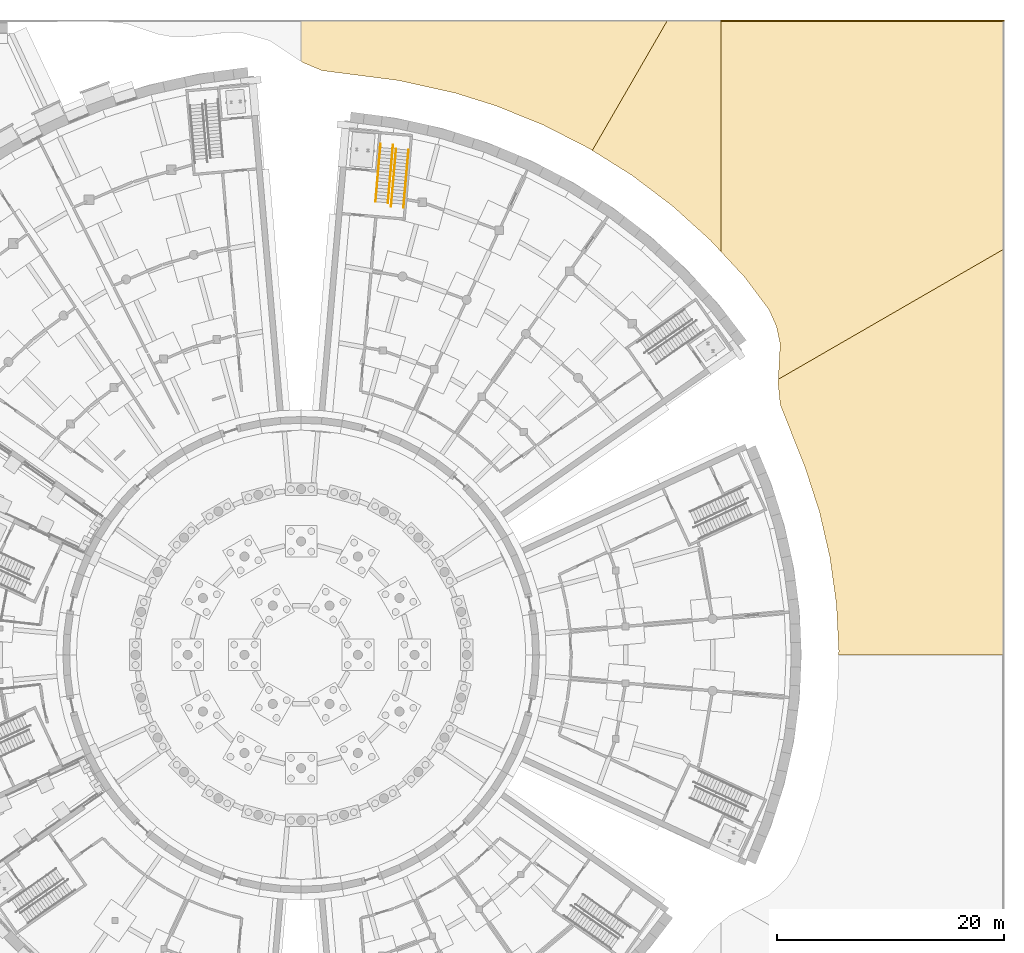
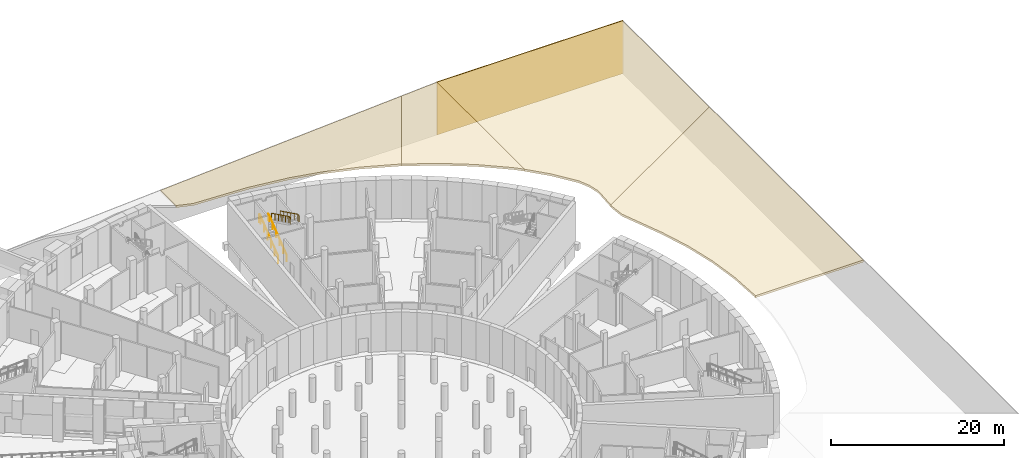
# One storey, part 64 of 65: 5 coverings, 4 railings.
"""IFC4 building model written with IfcOpenShell, lengths in metres."""

from ifc_helpers import new_model, si_unit, direction, frame, origin, origin_2d, place, context, subcontext, project, spatial, polyline, circle, outline, extrude, material, layer, layer_set, type_object, element, save


model = new_model("IFC4")

# Units and contexts
model_context = context("Model", 3, precision=1e-05, world=origin(), true_north=direction((0.0, 1.0)))
body_context = subcontext(model_context, "Body", "Model", "MODEL_VIEW")
ifc_project = project(units=[si_unit("LENGTHUNIT", "METRE"), si_unit("AREAUNIT", "SQUARE_METRE"), si_unit("VOLUMEUNIT", "CUBIC_METRE"), si_unit("PLANEANGLEUNIT", "RADIAN"), si_unit("MASSUNIT", "GRAM", prefix="KILO")], contexts=[model_context])

# Site, building, storey
site_placement = place(None, origin())
site = spatial("IfcSite", under=ifc_project, at=site_placement, CompositionType="ELEMENT")
building_placement = place(site_placement, origin())
building = spatial("IfcBuilding", under=site, at=building_placement, Name="Volute Hill Aquarium", CompositionType="ELEMENT")
storey_placement = place(building_placement, frame((0.0, 0.0, -5.5)))
storey = spatial("IfcBuildingStorey", under=building, at=storey_placement, Name="L00", CompositionType="ELEMENT", Elevation=-5.5)

# Railings
ifc_material_1 = material(Name="Stainless steel 1.4301", Category="steel")
railing_type_1 = type_object("IfcRailingType", Name="Guard 1100 stainless", PredefinedType="GUARDRAIL", material=ifc_material_1)
railing_1_placement = place(storey_placement, frame((6.55517578125, 39.9306640625, 0.161865234375)))
element("IfcRailing", 1, at=railing_1_placement, inside=storey, type_object=railing_type_1, Name="gd/S5-B/L00/1", PredefinedType="GUARDRAIL", context=body_context, shape_type="SweptSolid", body=[
    extrude(circle(Radius=0.02392578125, at=origin_2d()), frame((0.0, 0.0, 1.076171875), z_axis=(0.07669002411, 0.876853947593, 0.474600668765), x_axis=(-0.996197139649, 0.087127831115, 0.0)), (0.0, 0.0, 1.0), 5.453369140625),
    extrude(circle(Radius=0.02392578125, at=origin_2d()), frame((0.418212890625, 4.78173828125, 3.6640625), z_axis=(0.087086179441, 0.996200781645, 0.0), x_axis=(-0.996200781645, 0.087086179441, 0.0)), (0.0, 0.0, 1.0), 0.300048828125),
    extrude(circle(Radius=0.02099609375, at=origin_2d()), origin(), (0.0, 0.0, 1.0), 1.052001953125),
    extrude(circle(Radius=0.02099609375, at=origin_2d()), frame((0.083740234375, 0.956298828125, 0.517578125)), (0.0, 0.0, 1.0), 1.052001953125),
    extrude(circle(Radius=0.02099609375, at=origin_2d()), frame((0.167236328125, 1.91259765625, 1.03515625)), (0.0, 0.0, 1.0), 1.052001953125),
    extrude(circle(Radius=0.02099609375, at=origin_2d()), frame((0.2509765625, 2.869140625, 1.552978515625)), (0.0, 0.0, 1.0), 1.052001953125),
    extrude(circle(Radius=0.02099609375, at=origin_2d()), frame((0.33447265625, 3.825439453125, 2.070556640625)), (0.0, 0.0, 1.0), 1.052001953125),
    extrude(circle(Radius=0.02099609375, at=origin_2d()), frame((0.418212890625, 4.78173828125, 2.588134765625)), (0.0, 0.0, 1.0), 1.052001953125),
    extrude(circle(Radius=0.02099609375, at=origin_2d()), frame((0.4443359375, 5.08056640625, 2.588134765625)), (0.0, 0.0, 1.0), 1.052001953125),
])
ifc_material_2 = material(Name="Stainless steel 1.4301", Category="steel")
railing_type_2 = type_object("IfcRailingType", Name="Handrail 48 stainless", PredefinedType="HANDRAIL", material=ifc_material_2)
railing_2_placement = place(storey_placement, frame((7.65087890625, 39.834716796875, 0.161865234375)))
element("IfcRailing", 2, at=railing_2_placement, inside=storey, type_object=railing_type_2, Name="hr/S5-B/L00/2", PredefinedType="HANDRAIL", context=body_context, shape_type="SweptSolid", body=[
    extrude(circle(Radius=0.02392578125, at=origin_2d()), frame((0.0, 0.0, 0.8759765625), z_axis=(0.076734530001, 0.876850936167, 0.474599038819), x_axis=(-0.996192723684, 0.087178307383, 0.0)), (0.0, 0.0, 1.0), 5.453369140625),
    extrude(circle(Radius=0.02392578125, at=origin_2d()), frame((0.41845703125, 4.78173828125, 3.4638671875), z_axis=(0.087086179441, 0.996200781645, 0.0), x_axis=(-0.996200781645, 0.087086179441, 0.0)), (0.0, 0.0, 1.0), 0.300048828125),
    extrude(circle(Radius=0.02099609375, at=origin_2d()), origin(), (0.0, 0.0, 1.0), 0.851806640625),
    extrude(circle(Radius=0.02099609375, at=origin_2d()), frame((0.083740234375, 0.956298828125, 0.517578125)), (0.0, 0.0, 1.0), 0.851806640625),
    extrude(circle(Radius=0.02099609375, at=origin_2d()), frame((0.16748046875, 1.91259765625, 1.03515625)), (0.0, 0.0, 1.0), 0.851806640625),
    extrude(circle(Radius=0.02099609375, at=origin_2d()), frame((0.2509765625, 2.869140625, 1.552978515625)), (0.0, 0.0, 1.0), 0.851806640625),
    extrude(circle(Radius=0.02099609375, at=origin_2d()), frame((0.334716796875, 3.825439453125, 2.070556640625)), (0.0, 0.0, 1.0), 0.851806640625),
    extrude(circle(Radius=0.02099609375, at=origin_2d()), frame((0.41845703125, 4.78173828125, 2.588134765625)), (0.0, 0.0, 1.0), 0.851806640625),
    extrude(circle(Radius=0.02099609375, at=origin_2d()), frame((0.444580078125, 5.08056640625, 2.588134765625)), (0.0, 0.0, 1.0), 0.851806640625),
])
for number, where, name in (
    (3, (8.3681640625, 44.59033203125, 2.911865234375), "hr/S5-B/L00/3"),
    (4, (9.464111328125, 44.494384765625, 2.911865234375), "hr/S5-B/L00/4"),
):
    element("IfcRailing", number, at=place(storey_placement, frame(where)), inside=storey, type_object=railing_type_2, Name=name, PredefinedType="HANDRAIL", context=body_context, shape_type="SweptSolid", body=[
        extrude(circle(Radius=0.02392578125, at=origin_2d()), frame((0.0, 0.0, 0.8759765625), z_axis=(-0.076734530001, -0.876850936167, 0.474599038819), x_axis=(0.996192723684, -0.087178307383, 0.0)), (0.0, 0.0, 1.0), 5.453369140625),
        extrude(circle(Radius=0.02392578125, at=origin_2d()), frame((-0.41845703125, -4.78173828125, 3.4638671875), z_axis=(-0.087086179441, -0.996200781645, 0.0), x_axis=(0.996200781645, -0.087086179441, 0.0)), (0.0, 0.0, 1.0), 0.300048828125),
        extrude(circle(Radius=0.02099609375, at=origin_2d()), origin(), (0.0, 0.0, 1.0), 0.851806640625),
        extrude(circle(Radius=0.02099609375, at=origin_2d()), frame((-0.083740234375, -0.956298828125, 0.517578125)), (0.0, 0.0, 1.0), 0.851806640625),
        extrude(circle(Radius=0.02099609375, at=origin_2d()), frame((-0.16748046875, -1.91259765625, 1.03515625)), (0.0, 0.0, 1.0), 0.851806640625),
        extrude(circle(Radius=0.02099609375, at=origin_2d()), frame((-0.2509765625, -2.869140625, 1.552978515625)), (0.0, 0.0, 1.0), 0.851806640625),
        extrude(circle(Radius=0.02099609375, at=origin_2d()), frame((-0.334716796875, -3.825439453125, 2.070556640625)), (0.0, 0.0, 1.0), 0.851806640625),
        extrude(circle(Radius=0.02099609375, at=origin_2d()), frame((-0.41845703125, -4.78173828125, 2.588134765625)), (0.0, 0.0, 1.0), 0.851806640625),
        extrude(circle(Radius=0.02099609375, at=origin_2d()), frame((-0.444580078125, -5.08056640625, 2.588134765625)), (0.0, 0.0, 1.0), 0.851806640625),
    ])

# Coverings
ifc_material_3 = material(Name="Planting soil and turf")
ifc_layer_1 = layer(ifc_material_3, 0.300048828125)
ifc_layer_set_1 = layer_set([ifc_layer_1], Name="Planted ground soil and turf build-up 300")
covering_type_1 = type_object("IfcCoveringType", Name="Planted ground soil and turf build-up 300", PredefinedType="CLADDING", material=ifc_layer_set_1)
covering_1_placement = place(storey_placement, frame((36.055419921875, 36.54736328125, 5.440185546875), z_axis=(-0.063096366311, -5.60246e-06, 0.998007439114), x_axis=(0.679966192038, -0.731982426138, 0.04298494515)))
element("IfcCovering", 5, at=covering_1_placement, inside=storey, type_object=covering_type_1, Name="tn/11/L00/0", PredefinedType="CLADDING", context=body_context, shape_type="SweptSolid", body=[
    extrude(outline(polyline([(0.0, 0.0), (1.3891668245664457, -1.691355389077387e-16), (-13.484408699130249, 13.844207658051998), (-16.730486829896694, 10.356771654672993), (-12.878670057573181, -2.239160897833751), (-8.882822938653346, -1.1690538566501214), (-4.466323930179256, -0.39055866005649126), (0.0, 0.0)])), origin(), (0.0, 0.0, -1.0), 0.300048828125),
])
covering_2_placement = place(storey_placement, frame((21.38134765625, 46.6748046875, 4.5126953125), z_axis=(-0.063091871266, 1.043177e-06, 0.998007723306), x_axis=(0.888717549088, -0.454999515591, 0.056183260445)))
element("IfcCovering", 6, at=covering_2_placement, inside=storey, type_object=covering_type_1, Name="tn/12/L00/0", PredefinedType="CLADDING", context=body_context, shape_type="SweptSolid", body=[
    extrude(outline(polyline([(0.0, 0.0), (4.48575340190058, -4.85722573273506e-17), (4.83288270911775, -0.030449388244928436), (5.518653617193464, 13.12339900522217), (-23.25268164601808, -1.5774048653547386), (-21.633745381314974, -4.745868199143539), (-21.482804636591318, -4.762234424329808), (-19.61737866841526, -4.618420855806551), (-13.22435958274079, -2.3284593486756435), (-8.206094788874513, -1.0222249585106389), (-4.469981581800455, -0.3905755707507308), (0.0, 0.0)])), origin(), (0.0, 0.0, -1.0), 0.300048828125),
])
covering_3_placement = place(storey_placement, frame((47.375244140625, 0.0, 5.5), z_axis=(0.0, 0.0, 1.0), x_axis=(1.0, 0.0, 0.0)))
element("IfcCovering", 7, at=covering_3_placement, inside=storey, type_object=covering_type_1, Name="tn/20/L00/0", PredefinedType="CLADDING", context=body_context, shape_type="SweptSolid", body=[
    extrude(outline(polyline([(0.0, 0.0), (14.474853515625, 0.0), (14.474853515625, 35.709228515625), (-5.322021484375, 24.279541015625), (-5.341064453125, 23.922119140625), (-5.14599609375, 22.03271484375), (-2.964599609375, 16.5361328125), (-1.69189453125, 12.6005859375), (-0.767578125, 8.571044921875), (-0.197998046875, 4.476318359375), (0.0126953125, 0.347412109375), (0.0, 0.0)])), origin(), (0.0, 0.0, -1.0), 0.300048828125),
])
covering_4_placement = place(storey_placement, frame((42.05322265625, 24.279541015625, 5.5), z_axis=(0.0, 0.0, 1.0), x_axis=(0.866026229868, 0.499998569178, 0.0)))
element("IfcCovering", 8, at=covering_4_placement, inside=storey, type_object=covering_type_1, Name="tn/21/L00/0", PredefinedType="CLADDING", context=body_context, shape_type="SweptSolid", body=[
    extrude(outline(polyline([(0.0, 0.0), (22.85944041557626, 0.0), (32.92984616789197, 17.44252096812577), (11.409009782791301, 29.867534240186654), (1.249248817429117, 12.270244912621532), (1.9382700962880803, 9.258579170165381), (2.3618049750382153, 5.7089505159158955), (2.191278493079492, 4.128917213146541), (1.7047718672000471, 2.620242272823607), (0.0, 0.0)])), origin(), (0.0, 0.0, -1.0), 0.300048828125),
])
ifc_material_4 = material(Name="Precast concrete C40/50", Category="concrete")
ifc_layer_2 = layer(ifc_material_4, 0.10009765625)
ifc_layer_set_2 = layer_set([ifc_layer_2], Name="Retained ground face precast concrete C40/50 100")
covering_type_2 = type_object("IfcCoveringType", Name="Retained ground face precast concrete C40/50 100", PredefinedType="CLADDING", material=ifc_layer_set_2)
covering_5_placement = place(storey_placement, frame((61.949951171875, 55.949951171875, -2.0), z_axis=(0.0, 1.0, 0.0), x_axis=(-1.0, 0.0, 0.0)))
element("IfcCovering", 9, at=covering_5_placement, inside=storey, type_object=covering_type_2, Name="tf/5/L00/0", PredefinedType="CLADDING", context=body_context, shape_type="SweptSolid", body=[
    extrude(outline(polyline([(0.0, 0.0), (24.949951171875, 0.0), (24.949951171875, 7.5), (0.0, 7.5), (0.0, 0.0)])), origin(), (0.0, 0.0, -1.0), 0.10009765625),
])

save(model, "model.ifc")
